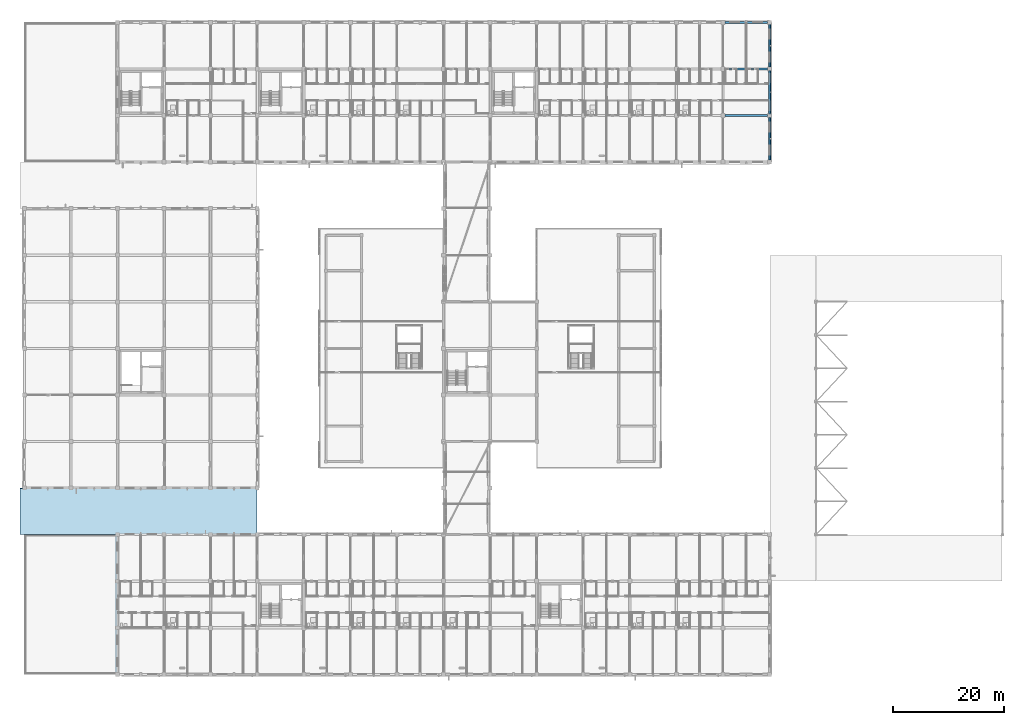
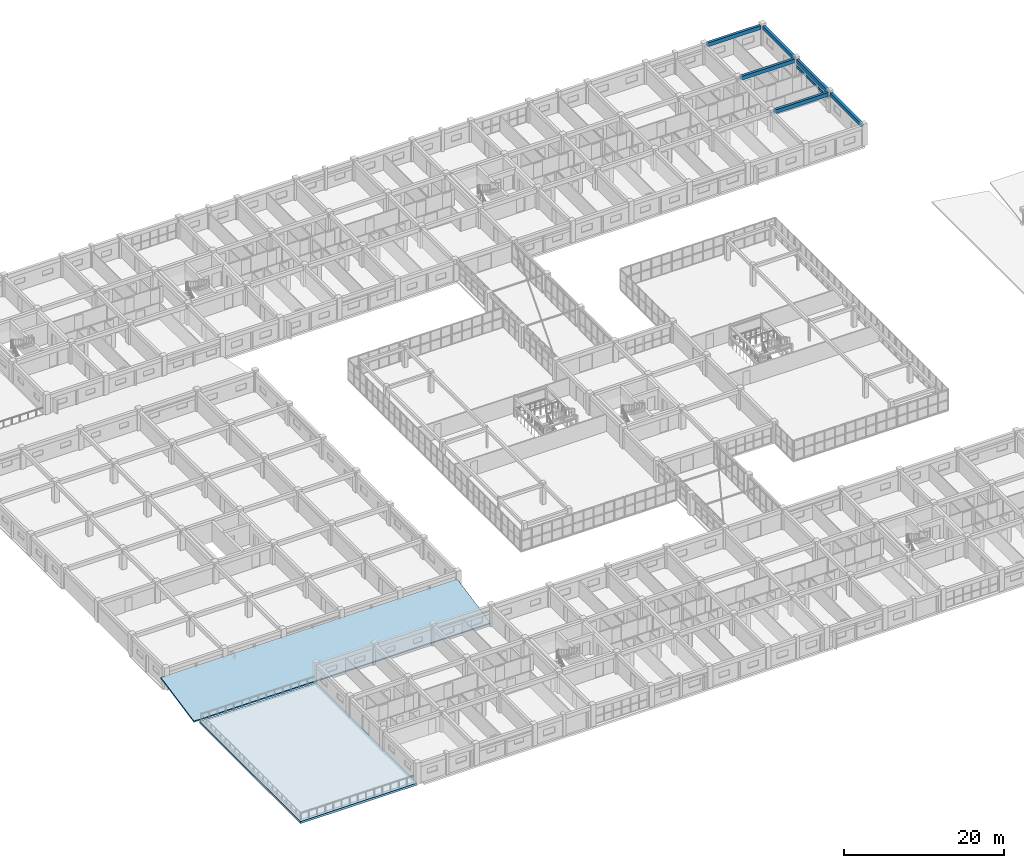
# One storey, part 97 of 148: 7 beams, 2 slabs.
"""IFC4 building model written with IfcOpenShell, lengths in metres."""

from ifc_helpers import new_model, si_unit, direction, frame, origin, origin_2d, place, context, subcontext, project, spatial, polyline, rectangle, outline, extrude, material, layer, layer_set, material_profile, profile_set, type_object, element, save


model = new_model("IFC4")

# Units and contexts
model_context = context("Model", 3, precision=1e-05, world=origin(), true_north=direction((0.0, 1.0)))
body_context = subcontext(model_context, "Body", "Model", "MODEL_VIEW")
ifc_project = project(units=[si_unit("LENGTHUNIT", "METRE"), si_unit("AREAUNIT", "SQUARE_METRE"), si_unit("VOLUMEUNIT", "CUBIC_METRE"), si_unit("PLANEANGLEUNIT", "RADIAN"), si_unit("MASSUNIT", "GRAM", prefix="KILO")], contexts=[model_context])

# Site, building, storey
site_placement = place(None, origin())
site = spatial("IfcSite", under=ifc_project, at=site_placement, CompositionType="ELEMENT")
building_placement = place(site_placement, origin())
building = spatial("IfcBuilding", under=site, at=building_placement, Name="Trelvath General Hospital", CompositionType="ELEMENT")
storey_placement = place(building_placement, frame((0.0, 0.0, 12.89990234375)))
storey = spatial("IfcBuildingStorey", under=building, at=storey_placement, Name="L03", CompositionType="ELEMENT", Elevation=12.89990234375)

# Beams
ifc_material_1 = material(Name="Concrete C35/45", Category="concrete")
ifc_material_profile_1 = material_profile(ifc_material_1, rectangle(XDim=0.360107421875, YDim=0.56005859375, at=origin_2d()), Name="RCB360x560")
ifc_profile_set_1 = profile_set([ifc_material_profile_1], Name="Concrete C35/45")
beam_type_1 = type_object("IfcBeamType", Name="Beam RC360x560", PredefinedType="BEAM", material=ifc_profile_set_1)
for number, where, z_axis, x_axis, name in (
    (1, (134.39990234375, 92.7451171875, 2.739990234375), (0.0, 1.0, 0.0), (-1.0, 0.0, 0.0), "Grid Beam BY-316L"),
    (2, (134.39990234375, 101.14501953125, 2.739990234375), (0.0, 1.0, 0.0), (-1.0, 0.0, 0.0), "Grid Beam BY-316M"),
    (3, (134.39990234375, 109.544921875, 2.739990234375), (0.0, 1.0, 0.0), (-1.0, 0.0, 0.0), "Grid Beam BY-316N"),
):
    element("IfcBeam", number, at=place(storey_placement, frame(where, z_axis=z_axis, x_axis=x_axis)), inside=storey, type_object=beam_type_1, Name=name, PredefinedType="BEAM", context=body_context, shape_type="SweptSolid", body=[
        extrude(rectangle(XDim=0.360107421875, YDim=0.56005859375, at=origin_2d()), origin(), (0.0, 0.0, 1.0), 7.7099609375),
    ])
ifc_material_2 = material(Name="Concrete C35/45", Category="concrete")
ifc_material_profile_2 = material_profile(ifc_material_2, rectangle(XDim=0.3798828125, YDim=0.580078125, at=origin_2d()), Name="RCB380x580")
ifc_profile_set_2 = profile_set([ifc_material_profile_2], Name="Concrete C35/45")
beam_type_2 = type_object("IfcBeamType", Name="Beam RC380x580", PredefinedType="BEAM", material=ifc_profile_set_2)
for number, where, z_axis, x_axis, name in (
    (4, (126.35498046875, 100.800048828125, 2.72998046875), (1.0, 0.0, 0.0), (0.0, 1.0, 0.0), "Grid Beam BX-315M"),
    (5, (126.35498046875, 109.199951171875, 2.72998046875), (1.0, 0.0, 0.0), (0.0, 1.0, 0.0), "Grid Beam BX-315N"),
):
    element("IfcBeam", number, at=place(storey_placement, frame(where, z_axis=z_axis, x_axis=x_axis)), inside=storey, type_object=beam_type_2, Name=name, PredefinedType="BEAM", context=body_context, shape_type="SweptSolid", body=[
        extrude(rectangle(XDim=0.3798828125, YDim=0.580078125, at=origin_2d()), origin(), (0.0, 0.0, 1.0), 7.699951171875),
    ])
beam_1_placement = place(storey_placement, frame((126.344970703125, 117.60009765625, 2.72998046875), z_axis=(1.0, 0.0, 0.0), x_axis=(0.0, 1.0, 0.0)))
element("IfcBeam", 6, at=beam_1_placement, inside=storey, type_object=beam_type_2, Name="Grid Beam BX-315O", PredefinedType="BEAM", context=body_context, shape_type="SweptSolid", body=[
    extrude(rectangle(XDim=0.3798828125, YDim=0.580078125, at=origin_2d()), origin(), (0.0, 0.0, 1.0), 7.7099609375),
])
ifc_material_3 = material(Name="Precast concrete C40/50", Category="concrete")
ifc_material_profile_3 = material_profile(ifc_material_3, rectangle(XDim=0.35009765625, YDim=0.419921875, at=origin_2d()), Name="PCL350x420")
ifc_profile_set_3 = profile_set([ifc_material_profile_3], Name="Precast concrete C40/50")
beam_type_3 = type_object("IfcBeamType", Name="Lintel PC350x420", PredefinedType="LINTEL", material=ifc_profile_set_3)
beam_2_placement = place(storey_placement, frame((134.39990234375, 108.93505859375, 1.920166015625), z_axis=(0.0, -1.0, 0.0), x_axis=(1.0, 0.0, 0.0)))
element("IfcBeam", 7, at=beam_2_placement, inside=storey, type_object=beam_type_3, Name="Precast Window Brow Lintel L03-417", PredefinedType="LINTEL", context=body_context, shape_type="SweptSolid", body=[
    extrude(rectangle(XDim=0.35009765625, YDim=0.419921875, at=origin_2d()), origin(), (0.0, 0.0, 1.0), 7.8701171875),
])

# Slabs
ifc_material_4 = material(Name="Concrete C35/45", Category="concrete")
ifc_layer_1 = layer(ifc_material_4, 0.320068359375)
ifc_layer_set_1 = layer_set([ifc_layer_1], Name="Concrete C35/45")
slab_type_1 = type_object("IfcSlabType", Name="PlantedTerraceSlab 320", PredefinedType="ROOF", material=ifc_layer_set_1)
slab_1_placement = place(storey_placement, frame((0.0, 0.0, -0.31982421875)))
element("IfcSlab", 8, at=slab_1_placement, inside=storey, type_object=slab_type_1, Name="Planted Healing Terrace TERR-OR-SW3 L03", PredefinedType="ROOF", context=body_context, shape_type="SweptSolid", body=[
    extrude(outline(polyline([(0.0, 0.0), (16.800048828125, 0.0), (16.800048828125, 25.199951171875), (0.0, 25.199951171875), (0.0, 0.0)])), origin(), (0.0, 0.0, 1.0), 0.31982421875),
])
ifc_material_5 = material(Name="Concrete C35/45", Category="concrete")
ifc_layer_2 = layer(ifc_material_5, 0.219970703125)
ifc_layer_set_2 = layer_set([ifc_layer_2], Name="Concrete C35/45")
slab_type_2 = type_object("IfcSlabType", Name="RoofSlab Folded220", PredefinedType="ROOF", material=ifc_layer_set_2)
slab_2_placement = place(storey_placement, frame((-0.75, 25.260009765625, 0.239990234375), z_axis=(0.0, -0.196588681309, 0.98048604803), x_axis=(1.0, 0.0, 0.0)))
element("IfcSlab", 9, at=slab_2_placement, inside=storey, type_object=slab_type_2, Name="Surgical Base Sloped Concrete Roof S", PredefinedType="ROOF", context=body_context, shape_type="SweptSolid", body=[
    extrude(outline(polyline([(0.0, 0.0), (42.68994140625, 0.0), (42.68994140625, 8.44482113081872), (0.0, 8.44482113081872), (0.0, 0.0)])), origin(), (0.0, 0.0, -1.0), 0.219970703125),
])

save(model, "model.ifc")
